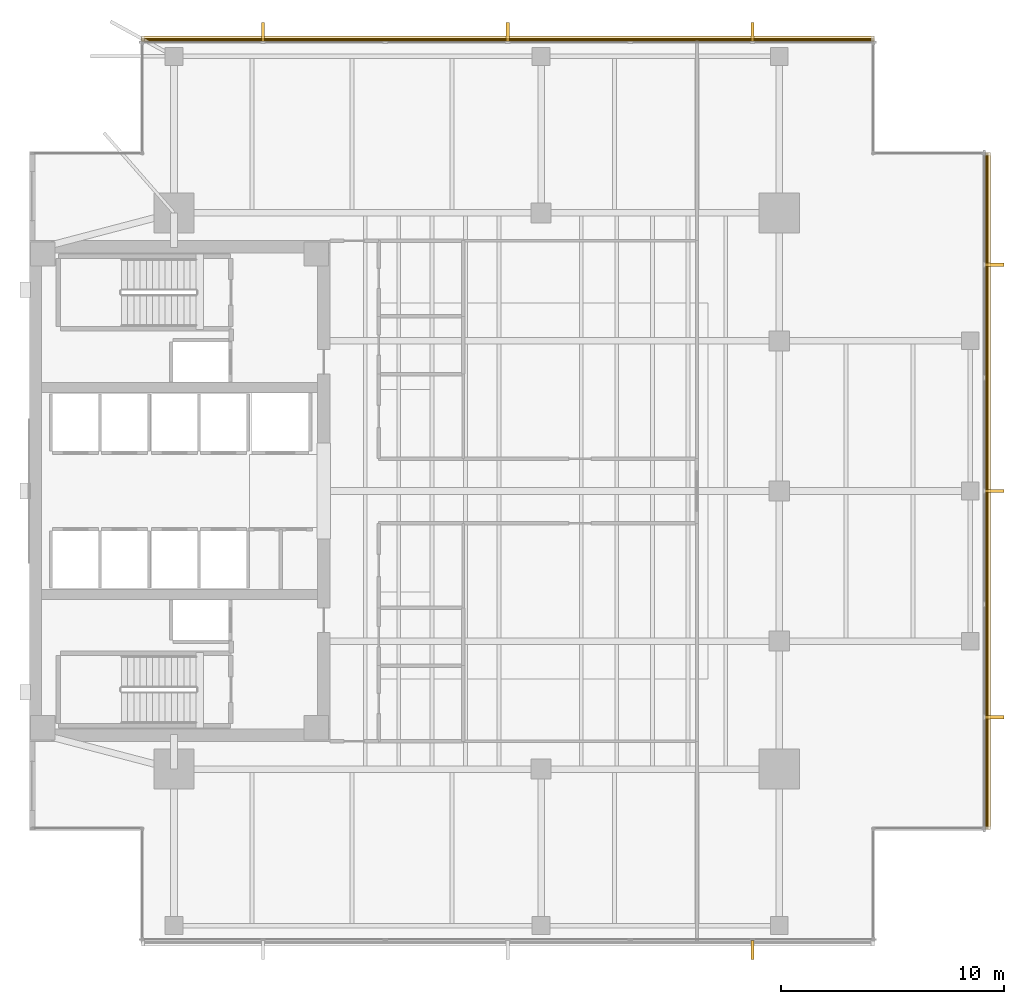
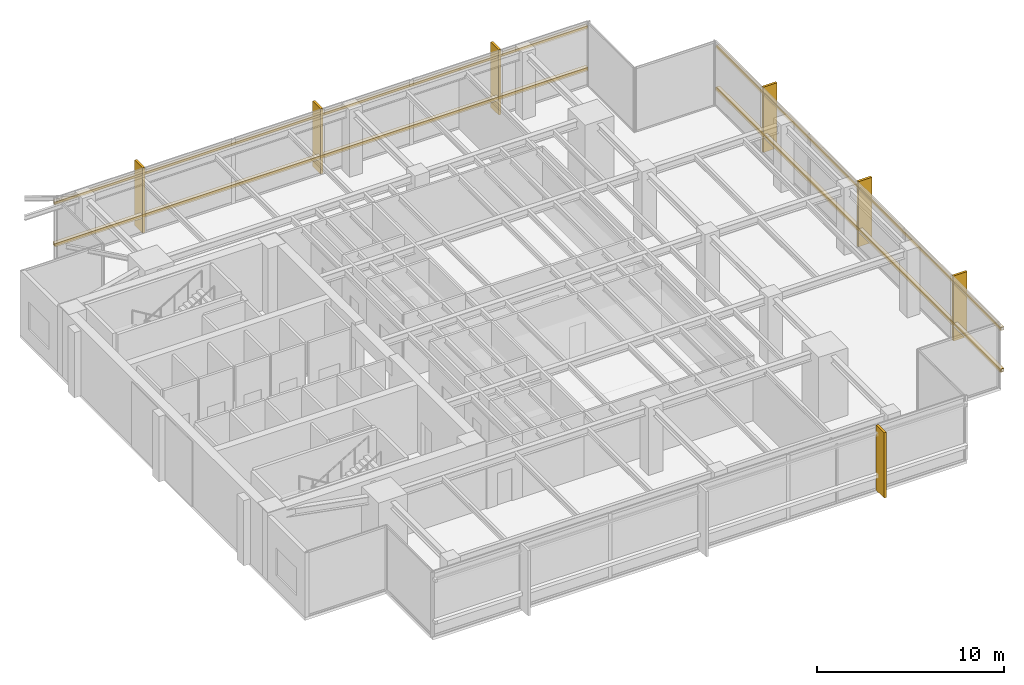
# One storey, part 14 of 14: 11 coverings, 4 shading devices.
"""IFC4 building model written with IfcOpenShell, lengths in metres."""

from ifc_helpers import new_model, si_unit, direction, frame, origin, origin_2d, place, context, subcontext, project, spatial, polyline, rectangle, outline, extrude, material, layer, layer_set, material_profile, profile_set, type_object, element, save


model = new_model("IFC4")

# Units and contexts
model_context = context("Model", 3, precision=1e-05, world=origin(), true_north=direction((0.0, 1.0)))
body_context = subcontext(model_context, "Body", "Model", "MODEL_VIEW")
ifc_project = project(units=[si_unit("LENGTHUNIT", "METRE"), si_unit("AREAUNIT", "SQUARE_METRE"), si_unit("VOLUMEUNIT", "CUBIC_METRE"), si_unit("PLANEANGLEUNIT", "RADIAN"), si_unit("MASSUNIT", "GRAM", prefix="KILO")], contexts=[model_context])

# Site, building, storey
site_placement = place(None, origin())
site = spatial("IfcSite", under=ifc_project, at=site_placement, CompositionType="ELEMENT")
building_placement = place(site_placement, origin())
building = spatial("IfcBuilding", under=site, at=building_placement, Name="Kinhvarn Gate Tower", CompositionType="ELEMENT")
storey_placement = place(building_placement, frame((0.0, 0.0, 183.64990234375)))
storey = spatial("IfcBuildingStorey", under=building, at=storey_placement, Name="L48", CompositionType="ELEMENT", Elevation=183.64990234375)

# Coverings
ifc_material = material(Name="Fired architectural terracotta", Category="masonry")
ifc_layer_1 = layer(ifc_material, 0.239990234375)
ifc_layer_set_1 = layer_set([ifc_layer_1], Name="Fired architectural terracotta")
covering_type_1 = type_object("IfcCoveringType", Name="COV-BAG-220", PredefinedType="CLADDING", material=ifc_layer_set_1)
for number, where, name in (
    (1, (0.0, 0.0, 0.940185546875), "Terracotta Horizontal Sunscreen Band TBG-220 (L48)"),
    (2, (0.0, 0.0, 3.66015625), "Terracotta Horizontal Sunscreen Band TBG-220 (L48)"),
):
    element("IfcCovering", number, at=place(storey_placement, frame(where)), inside=storey, type_object=covering_type_1, Name=name, PredefinedType="CLADDING", context=body_context, shape_type="SweptSolid", body=[
        extrude(outline(polyline([(42.4599609375, 45.4599609375), (9.5400390625, 45.4599609375), (9.5400390625, 45.699951171875), (42.4599609375, 45.699951171875), (42.4599609375, 45.4599609375)])), origin(), (0.0, 0.0, 1.0), 0.219970703125),
    ])
for number, where, name in (
    (3, (0.0, 0.0, 0.940185546875), "Terracotta Horizontal Sunscreen Band TBG-220 (L48)"),
    (4, (0.0, 0.0, 3.66015625), "Terracotta Horizontal Sunscreen Band TBG-220 (L48)"),
):
    element("IfcCovering", number, at=place(storey_placement, frame(where)), inside=storey, type_object=covering_type_1, Name=name, PredefinedType="CLADDING", context=body_context, shape_type="SweptSolid", body=[
        extrude(outline(polyline([(47.4599609375, 10.0400390625), (47.4599609375, 40.4599609375), (47.699951171875, 40.4599609375), (47.699951171875, 10.0400390625), (47.4599609375, 10.0400390625)])), origin(), (0.0, 0.0, 1.0), 0.219970703125),
    ])
ifc_layer_2 = layer(ifc_material, 0.139892578125)
ifc_layer_set_2 = layer_set([ifc_layer_2], Name="Fired architectural terracotta")
covering_type_2 = type_object("IfcCoveringType", Name="COV-FIN-850", PredefinedType="CLADDING", material=ifc_layer_set_2)
covering_1_placement = place(storey_placement, frame((0.0, 0.0, -0.02001953125)))
element("IfcCovering", 5, at=covering_1_placement, inside=storey, type_object=covering_type_2, Name="Vertical Terracotta Expressive Fin TFN-850 (L48)", PredefinedType="CLADDING", context=body_context, shape_type="SweptSolid", body=[
    extrude(outline(polyline([(36.929931640625, 5.050048828125), (37.070068359375, 5.050048828125), (37.070068359375, 4.199951171875), (36.929931640625, 4.199951171875), (36.929931640625, 5.050048828125)])), origin(), (0.0, 0.0, 1.0), 4.260009765625),
])
covering_2_placement = place(storey_placement, frame((0.0, 0.0, -0.02001953125)))
element("IfcCovering", 6, at=covering_2_placement, inside=storey, type_object=covering_type_2, Name="Vertical Terracotta Expressive Fin TFN-850 (L48)", PredefinedType="CLADDING", context=body_context, shape_type="SweptSolid", body=[
    extrude(outline(polyline([(37.070068359375, 45.449951171875), (36.929931640625, 45.449951171875), (36.929931640625, 46.300048828125), (37.070068359375, 46.300048828125), (37.070068359375, 45.449951171875)])), origin(), (0.0, 0.0, 1.0), 4.260009765625),
])
covering_3_placement = place(storey_placement, frame((0.0, 0.0, -0.02001953125)))
element("IfcCovering", 7, at=covering_3_placement, inside=storey, type_object=covering_type_2, Name="Vertical Terracotta Expressive Fin TFN-850 (L48)", PredefinedType="CLADDING", context=body_context, shape_type="SweptSolid", body=[
    extrude(outline(polyline([(26.070068359375, 45.449951171875), (25.929931640625, 45.449951171875), (25.929931640625, 46.300048828125), (26.070068359375, 46.300048828125), (26.070068359375, 45.449951171875)])), origin(), (0.0, 0.0, 1.0), 4.260009765625),
])
covering_4_placement = place(storey_placement, frame((0.0, 0.0, -0.02001953125)))
element("IfcCovering", 8, at=covering_4_placement, inside=storey, type_object=covering_type_2, Name="Vertical Terracotta Expressive Fin TFN-850 (L48)", PredefinedType="CLADDING", context=body_context, shape_type="SweptSolid", body=[
    extrude(outline(polyline([(15.070068359375, 45.449951171875), (14.929931640625, 45.449951171875), (14.929931640625, 46.300048828125), (15.070068359375, 46.300048828125), (15.070068359375, 45.449951171875)])), origin(), (0.0, 0.0, 1.0), 4.260009765625),
])
covering_5_placement = place(storey_placement, frame((0.0, 0.0, -0.02001953125)))
element("IfcCovering", 9, at=covering_5_placement, inside=storey, type_object=covering_type_2, Name="Vertical Terracotta Expressive Fin TFN-850 (L48)", PredefinedType="CLADDING", context=body_context, shape_type="SweptSolid", body=[
    extrude(outline(polyline([(47.449951171875, 15.01318359375), (47.449951171875, 15.1533203125), (48.300048828125, 15.1533203125), (48.300048828125, 15.01318359375), (47.449951171875, 15.01318359375)])), origin(), (0.0, 0.0, 1.0), 4.260009765625),
])
covering_6_placement = place(storey_placement, frame((0.0, 0.0, -0.02001953125)))
element("IfcCovering", 10, at=covering_6_placement, inside=storey, type_object=covering_type_2, Name="Vertical Terracotta Expressive Fin TFN-850 (L48)", PredefinedType="CLADDING", context=body_context, shape_type="SweptSolid", body=[
    extrude(outline(polyline([(47.449951171875, 25.179931640625), (47.449951171875, 25.320068359375), (48.300048828125, 25.320068359375), (48.300048828125, 25.179931640625), (47.449951171875, 25.179931640625)])), origin(), (0.0, 0.0, 1.0), 4.260009765625),
])
covering_7_placement = place(storey_placement, frame((0.0, 0.0, -0.02001953125)))
element("IfcCovering", 11, at=covering_7_placement, inside=storey, type_object=covering_type_2, Name="Vertical Terracotta Expressive Fin TFN-850 (L48)", PredefinedType="CLADDING", context=body_context, shape_type="SweptSolid", body=[
    extrude(outline(polyline([(47.449951171875, 35.3466796875), (47.449951171875, 35.48681640625), (48.300048828125, 35.48681640625), (48.300048828125, 35.3466796875), (47.449951171875, 35.3466796875)])), origin(), (0.0, 0.0, 1.0), 4.260009765625),
])

# Shading devices
ifc_material_profile = material_profile(ifc_material, rectangle(XDim=0.06005859375, YDim=0.139892578125, at=origin_2d()), Name="TC 60x140")
ifc_profile_set = profile_set([ifc_material_profile], Name="Fired architectural terracotta")
shading_device_type = type_object("IfcShadingDeviceType", Name="SHD-BAG-180", PredefinedType="USERDEFINED", material=ifc_profile_set)
for number, where, z_axis, x_axis, name in (
    (12, (42.4599609375, 45.534912109375, 1.050048828125), (-1.0, 0.0, 0.0), (0.0, -1.0, 0.0), "Fired Terracotta Baguette Screen Rod 60x140 mm (L48)"),
    (13, (42.4599609375, 45.534912109375, 3.77001953125), (-1.0, 0.0, 0.0), (0.0, -1.0, 0.0), "Fired Terracotta Baguette Screen Rod 60x140 mm (L48)"),
):
    element("IfcShadingDevice", number, at=place(storey_placement, frame(where, z_axis=z_axis, x_axis=x_axis)), inside=storey, type_object=shading_device_type, Name=name, ObjectType="BAGUETTE", PredefinedType="USERDEFINED", context=body_context, shape_type="SweptSolid", body=[
        extrude(rectangle(XDim=0.06005859375, YDim=0.139892578125, at=origin_2d()), origin(), (0.0, 0.0, 1.0), 32.919921875),
    ])
for number, where, z_axis, x_axis, name in (
    (14, (47.534912109375, 10.0400390625, 1.050048828125), (0.0, 1.0, 0.0), (-1.0, 0.0, 0.0), "Fired Terracotta Baguette Screen Rod 60x140 mm (L48)"),
    (15, (47.534912109375, 10.0400390625, 3.77001953125), (0.0, 1.0, 0.0), (-1.0, 0.0, 0.0), "Fired Terracotta Baguette Screen Rod 60x140 mm (L48)"),
):
    element("IfcShadingDevice", number, at=place(storey_placement, frame(where, z_axis=z_axis, x_axis=x_axis)), inside=storey, type_object=shading_device_type, Name=name, ObjectType="BAGUETTE", PredefinedType="USERDEFINED", context=body_context, shape_type="SweptSolid", body=[
        extrude(rectangle(XDim=0.06005859375, YDim=0.139892578125, at=origin_2d()), origin(), (0.0, 0.0, 1.0), 30.419921875),
    ])

save(model, "model.ifc")
